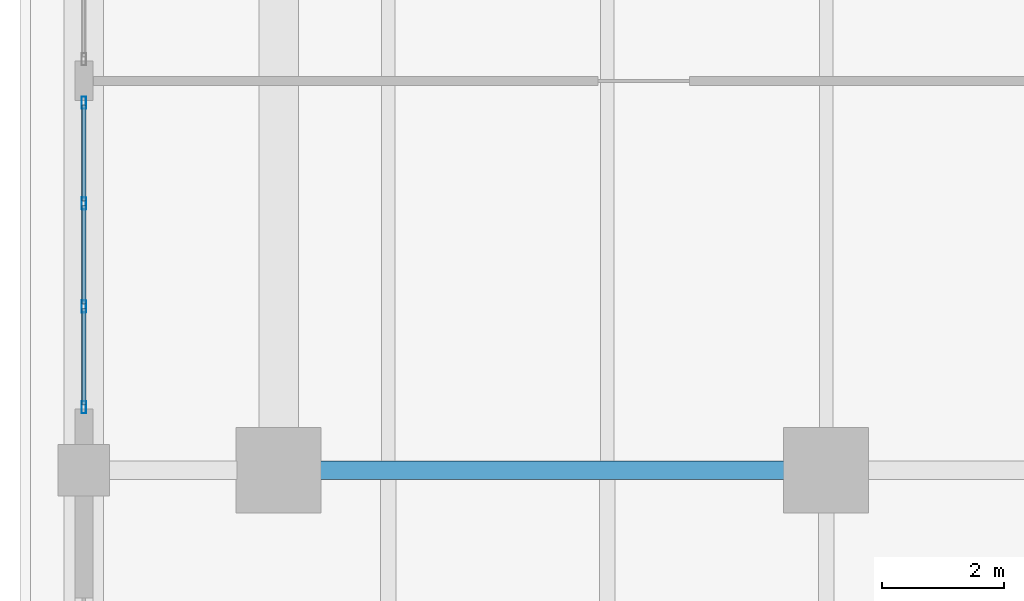
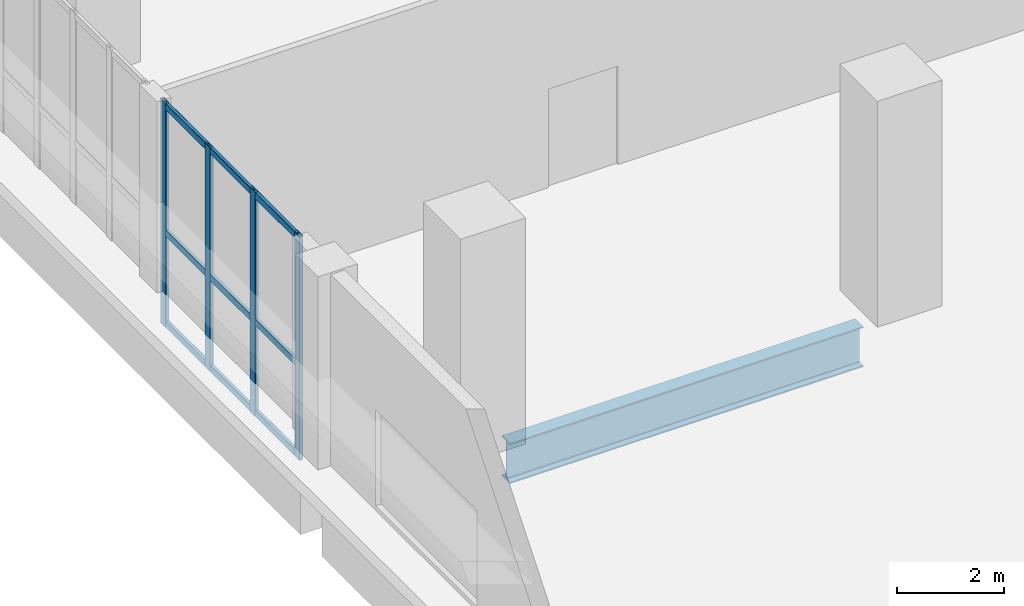
# One storey, part 4 of 25: 13 members, 1 beam, 1 element without a shape of its own.
"""IFC4 building model written with IfcOpenShell, lengths in metres."""

from ifc_helpers import new_model, si_unit, direction, frame, origin, origin_2d, place, context, subcontext, project, spatial, hollow_rectangle, i_section, extrude, material, layer, layer_set, material_profile, profile_set, type_object, element, aggregate, save


model = new_model("IFC4")

# Units and contexts
model_context = context("Model", 3, precision=1e-05, world=origin(), true_north=direction((0.0, 1.0)))
body_context = subcontext(model_context, "Body", "Model", "MODEL_VIEW")
ifc_project = project(units=[si_unit("LENGTHUNIT", "METRE"), si_unit("AREAUNIT", "SQUARE_METRE"), si_unit("VOLUMEUNIT", "CUBIC_METRE"), si_unit("PLANEANGLEUNIT", "RADIAN"), si_unit("MASSUNIT", "GRAM", prefix="KILO")], contexts=[model_context])

# Site, building, storey
site_placement = place(None, origin())
site = spatial("IfcSite", under=ifc_project, at=site_placement, CompositionType="ELEMENT")
building_placement = place(site_placement, origin())
building = spatial("IfcBuilding", under=site, at=building_placement, Name="Kaelvorn Grand Hotel", CompositionType="ELEMENT")
storey_placement = place(building_placement, frame((0.0, 0.0, 26.0)))
storey = spatial("IfcBuildingStorey", under=building, at=storey_placement, Name="L04", CompositionType="ELEMENT", Elevation=26.0)

# Beam
ifc_material_1 = material(Name="Steel S355", Category="steel")
ifc_material_profile_1 = material_profile(ifc_material_1, i_section(OverallWidth=0.305419921875, OverallDepth=0.91845703125, WebThickness=0.017333984375, FlangeThickness=0.02783203125, FilletRadius=0.01904296875, at=origin_2d()), Name="UB 914x305x253")
ifc_profile_set_1 = profile_set([ifc_material_profile_1], Name="Steel S355")
beam_type = type_object("IfcBeamType", Name="BM-G-UB914-S355", PredefinedType="BEAM", material=ifc_profile_set_1)
beam_placement = place(storey_placement, frame((0.68505859375, 15.0, -0.779296875), z_axis=(1.0, 0.0, 0.0), x_axis=(0.0, 1.0, 0.0)))
element("IfcBeam", 1, at=beam_placement, inside=storey, type_object=beam_type, Name="L04 Primary Spine Steel Girder G-15 02", PredefinedType="BEAM", context=body_context, shape_type="SweptSolid", body=[
    extrude(i_section(OverallWidth=0.305419921875, OverallDepth=0.91845703125, WebThickness=0.017333984375, FlangeThickness=0.02783203125, FilletRadius=0.01904296875, at=origin_2d()), origin(), (0.0, 0.0, 1.0), 7.6298828125),
])

# Curtain wall, members
ifc_material_2 = material(Name="Anodised Aluminium", Category="aluminium")
ifc_layer = layer(ifc_material_2, 0.199951171875)
ifc_layer_set = layer_set([ifc_layer], Name="Anodised Aluminium")
curtain_wall_type = type_object("IfcCurtainWallType", Name="CW-SYS2", PredefinedType="NOTDEFINED", material=ifc_layer_set)
curtain_wall_placement = place(storey_placement, origin())
curtain_wall = element("IfcCurtainWall", 2, at=curtain_wall_placement, inside=storey, type_object=curtain_wall_type, Name="L04 Unitised Curtain Wall CW2 (CW-L04-W-01)", PredefinedType="NOTDEFINED")
ifc_material_profile_2 = material_profile(ifc_material_2, hollow_rectangle(XDim=0.074951171875, YDim=0.199951171875, WallThickness=0.00390625, InnerFilletRadius=0.00390625, OuterFilletRadius=0.008056640625, at=origin_2d()), Name="ALU MULL 75x200")
ifc_profile_set_2 = profile_set([ifc_material_profile_2], Name="Anodised Aluminium")
member_type_1 = type_object("IfcMemberType", Name="CW-SYS2-MULL", PredefinedType="MULLION", material=ifc_profile_set_2)
member_1_placement = place(storey_placement, frame((-3.199951171875, 21.04248046875, 0.0), z_axis=(0.0, 0.0, 1.0), x_axis=(1.0, 0.0, 0.0)))
member_1 = element("IfcMember", 3, at=member_1_placement, type_object=member_type_1, Name="CW2 mullion 1", PredefinedType="MULLION", context=body_context, shape_type="SweptSolid", body=[
    extrude(hollow_rectangle(XDim=0.074951171875, YDim=0.199951171875, WallThickness=0.00390625, InnerFilletRadius=0.00390625, OuterFilletRadius=0.008056640625, at=origin_2d()), origin(), (0.0, 0.0, 1.0), 5.1201171875),
])
member_2_placement = place(storey_placement, frame((-3.199951171875, 19.38671875, 0.0), z_axis=(0.0, 0.0, 1.0), x_axis=(1.0, 0.0, 0.0)))
member_2 = element("IfcMember", 4, at=member_2_placement, type_object=member_type_1, Name="CW2 mullion 2", PredefinedType="MULLION", context=body_context, shape_type="SweptSolid", body=[
    extrude(hollow_rectangle(XDim=0.074951171875, YDim=0.199951171875, WallThickness=0.00390625, InnerFilletRadius=0.00390625, OuterFilletRadius=0.008056640625, at=origin_2d()), origin(), (0.0, 0.0, 1.0), 5.1201171875),
])
member_3_placement = place(storey_placement, frame((-3.199951171875, 17.693359375, 0.0), z_axis=(0.0, 0.0, 1.0), x_axis=(1.0, 0.0, 0.0)))
member_3 = element("IfcMember", 5, at=member_3_placement, type_object=member_type_1, Name="CW2 mullion 3", PredefinedType="MULLION", context=body_context, shape_type="SweptSolid", body=[
    extrude(hollow_rectangle(XDim=0.074951171875, YDim=0.199951171875, WallThickness=0.00390625, InnerFilletRadius=0.00390625, OuterFilletRadius=0.008056640625, at=origin_2d()), origin(), (0.0, 0.0, 1.0), 5.1201171875),
])
member_4_placement = place(storey_placement, frame((-3.199951171875, 16.03759765625, 0.0), z_axis=(0.0, 0.0, 1.0), x_axis=(1.0, 0.0, 0.0)))
member_4 = element("IfcMember", 6, at=member_4_placement, type_object=member_type_1, Name="CW2 mullion 4", PredefinedType="MULLION", context=body_context, shape_type="SweptSolid", body=[
    extrude(hollow_rectangle(XDim=0.074951171875, YDim=0.199951171875, WallThickness=0.00390625, InnerFilletRadius=0.00390625, OuterFilletRadius=0.008056640625, at=origin_2d()), origin(), (0.0, 0.0, 1.0), 5.1201171875),
])
ifc_material_profile_3 = material_profile(ifc_material_2, hollow_rectangle(XDim=0.074951171875, YDim=0.14990234375, WallThickness=0.00390625, InnerFilletRadius=0.00390625, OuterFilletRadius=0.008056640625, at=origin_2d()), Name="ALU TRAN 75x150")
ifc_profile_set_3 = profile_set([ifc_material_profile_3], Name="Anodised Aluminium")
member_type_2 = type_object("IfcMemberType", Name="CW-SYS2-TRAN", PredefinedType="NOTDEFINED", material=ifc_profile_set_3)
member_5_placement = place(storey_placement, frame((-3.199951171875, 21.0048828125, 0.074951171875), z_axis=(0.0, -1.0, 0.0), x_axis=(1.0, 0.0, 0.0)))
member_5 = element("IfcMember", 7, at=member_5_placement, type_object=member_type_2, Name="CW2 transom 1.1", ObjectType="TRANSOM", PredefinedType="USERDEFINED", context=body_context, shape_type="SweptSolid", body=[
    extrude(hollow_rectangle(XDim=0.074951171875, YDim=0.14990234375, WallThickness=0.00390625, InnerFilletRadius=0.00390625, OuterFilletRadius=0.008056640625, at=origin_2d()), origin(), (0.0, 0.0, 1.0), 1.580810546875),
])
member_6_placement = place(storey_placement, frame((-3.199951171875, 21.0048828125, 2.150390625), z_axis=(0.0, -1.0, 0.0), x_axis=(1.0, 0.0, 0.0)))
member_6 = element("IfcMember", 8, at=member_6_placement, type_object=member_type_2, Name="CW2 transom 1.2", ObjectType="TRANSOM", PredefinedType="USERDEFINED", context=body_context, shape_type="SweptSolid", body=[
    extrude(hollow_rectangle(XDim=0.074951171875, YDim=0.14990234375, WallThickness=0.00390625, InnerFilletRadius=0.00390625, OuterFilletRadius=0.008056640625, at=origin_2d()), origin(), (0.0, 0.0, 1.0), 1.580810546875),
])
member_7_placement = place(storey_placement, frame((-3.199951171875, 21.0048828125, 5.044921875), z_axis=(0.0, -1.0, 0.0), x_axis=(1.0, 0.0, 0.0)))
member_7 = element("IfcMember", 9, at=member_7_placement, type_object=member_type_2, Name="CW2 transom 1.3", ObjectType="TRANSOM", PredefinedType="USERDEFINED", context=body_context, shape_type="SweptSolid", body=[
    extrude(hollow_rectangle(XDim=0.074951171875, YDim=0.14990234375, WallThickness=0.00390625, InnerFilletRadius=0.00390625, OuterFilletRadius=0.008056640625, at=origin_2d()), origin(), (0.0, 0.0, 1.0), 1.580810546875),
])
member_8_placement = place(storey_placement, frame((-3.199951171875, 19.34912109375, 0.074951171875), z_axis=(0.0, -1.0, 0.0), x_axis=(1.0, 0.0, 0.0)))
member_8 = element("IfcMember", 10, at=member_8_placement, type_object=member_type_2, Name="CW2 transom 2.1", ObjectType="TRANSOM", PredefinedType="USERDEFINED", context=body_context, shape_type="SweptSolid", body=[
    extrude(hollow_rectangle(XDim=0.074951171875, YDim=0.14990234375, WallThickness=0.00390625, InnerFilletRadius=0.00390625, OuterFilletRadius=0.008056640625, at=origin_2d()), origin(), (0.0, 0.0, 1.0), 1.618408203125),
])
member_9_placement = place(storey_placement, frame((-3.199951171875, 19.34912109375, 2.150390625), z_axis=(0.0, -1.0, 0.0), x_axis=(1.0, 0.0, 0.0)))
member_9 = element("IfcMember", 11, at=member_9_placement, type_object=member_type_2, Name="CW2 transom 2.2", ObjectType="TRANSOM", PredefinedType="USERDEFINED", context=body_context, shape_type="SweptSolid", body=[
    extrude(hollow_rectangle(XDim=0.074951171875, YDim=0.14990234375, WallThickness=0.00390625, InnerFilletRadius=0.00390625, OuterFilletRadius=0.008056640625, at=origin_2d()), origin(), (0.0, 0.0, 1.0), 1.618408203125),
])
member_10_placement = place(storey_placement, frame((-3.199951171875, 19.34912109375, 5.044921875), z_axis=(0.0, -1.0, 0.0), x_axis=(1.0, 0.0, 0.0)))
member_10 = element("IfcMember", 12, at=member_10_placement, type_object=member_type_2, Name="CW2 transom 2.3", ObjectType="TRANSOM", PredefinedType="USERDEFINED", context=body_context, shape_type="SweptSolid", body=[
    extrude(hollow_rectangle(XDim=0.074951171875, YDim=0.14990234375, WallThickness=0.00390625, InnerFilletRadius=0.00390625, OuterFilletRadius=0.008056640625, at=origin_2d()), origin(), (0.0, 0.0, 1.0), 1.618408203125),
])
member_11_placement = place(storey_placement, frame((-3.199951171875, 17.65576171875, 0.074951171875), z_axis=(0.0, -1.0, 0.0), x_axis=(1.0, 0.0, 0.0)))
member_11 = element("IfcMember", 13, at=member_11_placement, type_object=member_type_2, Name="CW2 transom 3.1", ObjectType="TRANSOM", PredefinedType="USERDEFINED", context=body_context, shape_type="SweptSolid", body=[
    extrude(hollow_rectangle(XDim=0.074951171875, YDim=0.14990234375, WallThickness=0.00390625, InnerFilletRadius=0.00390625, OuterFilletRadius=0.008056640625, at=origin_2d()), origin(), (0.0, 0.0, 1.0), 1.580810546875),
])
member_12_placement = place(storey_placement, frame((-3.199951171875, 17.65576171875, 2.150390625), z_axis=(0.0, -1.0, 0.0), x_axis=(1.0, 0.0, 0.0)))
member_12 = element("IfcMember", 14, at=member_12_placement, type_object=member_type_2, Name="CW2 transom 3.2", ObjectType="TRANSOM", PredefinedType="USERDEFINED", context=body_context, shape_type="SweptSolid", body=[
    extrude(hollow_rectangle(XDim=0.074951171875, YDim=0.14990234375, WallThickness=0.00390625, InnerFilletRadius=0.00390625, OuterFilletRadius=0.008056640625, at=origin_2d()), origin(), (0.0, 0.0, 1.0), 1.580810546875),
])
member_13_placement = place(storey_placement, frame((-3.199951171875, 17.65576171875, 5.044921875), z_axis=(0.0, -1.0, 0.0), x_axis=(1.0, 0.0, 0.0)))
member_13 = element("IfcMember", 15, at=member_13_placement, type_object=member_type_2, Name="CW2 transom 3.3", ObjectType="TRANSOM", PredefinedType="USERDEFINED", context=body_context, shape_type="SweptSolid", body=[
    extrude(hollow_rectangle(XDim=0.074951171875, YDim=0.14990234375, WallThickness=0.00390625, InnerFilletRadius=0.00390625, OuterFilletRadius=0.008056640625, at=origin_2d()), origin(), (0.0, 0.0, 1.0), 1.580810546875),
])
aggregate(curtain_wall, [member_1, member_2, member_3, member_4, member_5, member_6, member_7, member_8, member_9, member_10, member_11, member_12, member_13])

save(model, "model.ifc")
